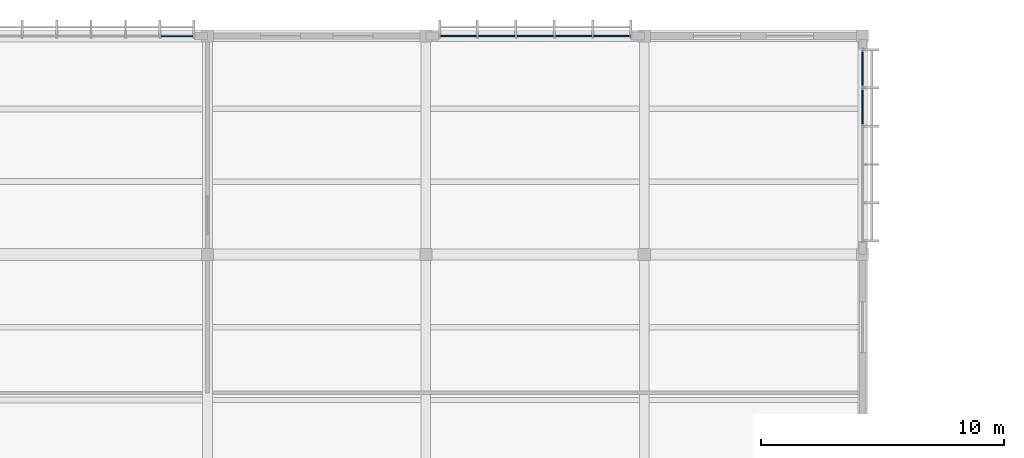
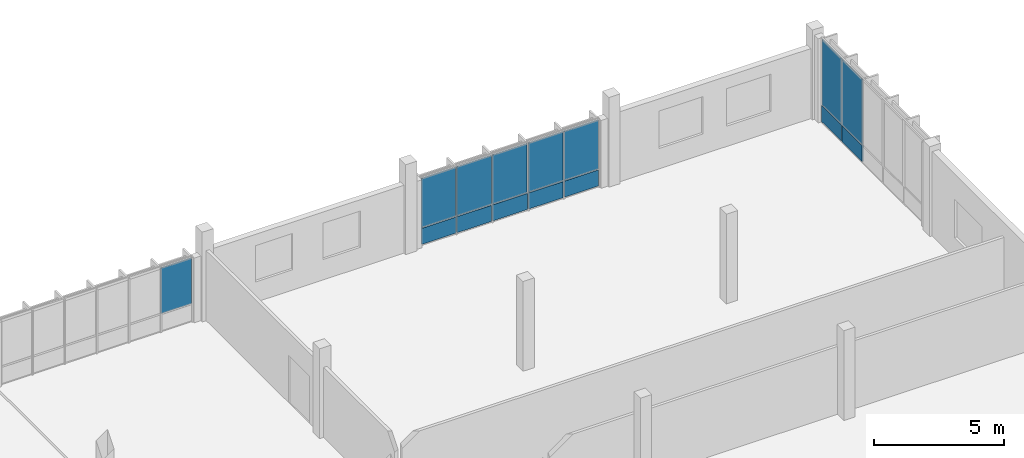
# One storey, part 157 of 182: 15 plates, 3 elements without a shape of their own.
"""IFC4 building model written with IfcOpenShell, lengths in metres."""

from ifc_helpers import new_model, si_unit, direction, frame, origin, origin_2d, place, context, subcontext, project, spatial, rectangle, extrude, material, layer, layer_set, type_object, element, aggregate, save


model = new_model("IFC4")

# Units and contexts
model_context = context("Model", 3, precision=1e-05, world=origin(), true_north=direction((0.0, 1.0)))
body_context = subcontext(model_context, "Body", "Model", "MODEL_VIEW")
ifc_project = project(units=[si_unit("LENGTHUNIT", "METRE"), si_unit("AREAUNIT", "SQUARE_METRE"), si_unit("VOLUMEUNIT", "CUBIC_METRE"), si_unit("PLANEANGLEUNIT", "RADIAN"), si_unit("MASSUNIT", "GRAM", prefix="KILO")], contexts=[model_context])

# Site, building, storey
site_placement = place(None, origin())
site = spatial("IfcSite", under=ifc_project, at=site_placement, CompositionType="ELEMENT")
building_placement = place(site_placement, origin())
building = spatial("IfcBuilding", under=site, at=building_placement, Name="Chiffa Square Polytechnic", CompositionType="ELEMENT")
storey_placement = place(building_placement, frame((0.0, 0.0, 9.60009765625)))
storey = spatial("IfcBuildingStorey", under=building, at=storey_placement, Name="L02", CompositionType="ELEMENT", Elevation=9.60009765625)

# Curtain wall, plate
ifc_material_1 = material(Name="Aluminium EN AW-6060 T66 and glulam shading", Category="wood")
curtain_wall_type_1 = type_object("IfcCurtainWallType", Name="CW-VERT-450X380", PredefinedType="USERDEFINED", material=ifc_material_1)
curtain_wall_1_placement = place(storey_placement, origin())
curtain_wall_1 = element("IfcCurtainWall", 1, at=curtain_wall_1_placement, inside=storey, type_object=curtain_wall_type_1, Name="Curtain wall CW-V5-L02-218", ObjectType="CURTAIN WALL", PredefinedType="USERDEFINED")
ifc_material_2 = material(Name="Double glazing", Category="glass")
ifc_layer_1 = layer(ifc_material_2, 0.0458984375, Name="Double glazing")
ifc_layer_set_1 = layer_set([ifc_layer_1], Name="Double glazing")
plate_type_1 = type_object("IfcPlateType", Name="CWP-GLZ-130X110", PredefinedType="CURTAIN_PANEL", material=ifc_layer_set_1)
plate_1_placement = place(storey_placement, frame((119.93896484375, 130.800048828125, 0.84033203125), z_axis=(0.0, 0.0, 1.0), x_axis=(-1.0, 0.0, 0.0)))
plate_1 = element("IfcPlate", 2, at=plate_1_placement, type_object=plate_type_1, Name="Glazed curtain panel CW-V5-L02-218-PN01", PredefinedType="CURTAIN_PANEL", context=body_context, shape_type="SweptSolid", body=[
    extrude(rectangle(XDim=1.345947265625, YDim=0.0458984375, at=origin_2d()), origin(), (0.0, 0.0, 1.0), 2.135009765625),
])
aggregate(curtain_wall_1, [plate_1])

# Curtain wall, plates
curtain_wall_type_2 = type_object("IfcCurtainWallType", Name="CW-VERT-600X440", PredefinedType="USERDEFINED", material=ifc_material_1)
curtain_wall_2_placement = place(storey_placement, origin())
curtain_wall_2 = element("IfcCurtainWall", 3, at=curtain_wall_2_placement, inside=storey, type_object=curtain_wall_type_2, Name="Curtain wall CW-V5-L02-217", ObjectType="CURTAIN WALL", PredefinedType="USERDEFINED")
ifc_layer_2 = layer(ifc_material_2, 0.0439453125, Name="Double glazing")
ifc_layer_set_2 = layer_set([ifc_layer_2], Name="Double glazing")
plate_type_2 = type_object("IfcPlateType", Name="CWP-GLZ-132X114", PredefinedType="CURTAIN_PANEL", material=ifc_layer_set_2)
plate_2_placement = place(storey_placement, frame((137.85693359375, 130.800048828125, 0.83935546875), z_axis=(0.0, 0.0, 1.0), x_axis=(-1.0, 0.0, 0.0)))
plate_2 = element("IfcPlate", 4, at=plate_2_placement, type_object=plate_type_2, Name="Glazed curtain panel CW-V5-L02-217-PN01", PredefinedType="CURTAIN_PANEL", context=body_context, shape_type="SweptSolid", body=[
    extrude(rectangle(XDim=1.510009765625, YDim=0.0439453125, at=origin_2d()), origin(), (0.0, 0.0, 1.0), 2.284912109375),
])
plate_3_placement = place(storey_placement, frame((136.283935546875, 130.800048828125, 0.83935546875), z_axis=(0.0, 0.0, 1.0), x_axis=(-1.0, 0.0, 0.0)))
plate_3 = element("IfcPlate", 5, at=plate_3_placement, type_object=plate_type_2, Name="Glazed curtain panel CW-V5-L02-217-PN02", PredefinedType="CURTAIN_PANEL", context=body_context, shape_type="SweptSolid", body=[
    extrude(rectangle(XDim=1.531982421875, YDim=0.0439453125, at=origin_2d()), origin(), (0.0, 0.0, 1.0), 2.284912109375),
])
plate_4_placement = place(storey_placement, frame((134.699951171875, 130.800048828125, 0.83935546875), z_axis=(0.0, 0.0, 1.0), x_axis=(-1.0, 0.0, 0.0)))
plate_4 = element("IfcPlate", 6, at=plate_4_placement, type_object=plate_type_2, Name="Glazed curtain panel CW-V5-L02-217-PN03", PredefinedType="CURTAIN_PANEL", context=body_context, shape_type="SweptSolid", body=[
    extrude(rectangle(XDim=1.531982421875, YDim=0.0439453125, at=origin_2d()), origin(), (0.0, 0.0, 1.0), 2.284912109375),
])
plate_5_placement = place(storey_placement, frame((133.115966796875, 130.800048828125, 0.83935546875), z_axis=(0.0, 0.0, 1.0), x_axis=(-1.0, 0.0, 0.0)))
plate_5 = element("IfcPlate", 7, at=plate_5_placement, type_object=plate_type_2, Name="Glazed curtain panel CW-V5-L02-217-PN04", PredefinedType="CURTAIN_PANEL", context=body_context, shape_type="SweptSolid", body=[
    extrude(rectangle(XDim=1.531982421875, YDim=0.0439453125, at=origin_2d()), origin(), (0.0, 0.0, 1.0), 2.284912109375),
])
plate_6_placement = place(storey_placement, frame((131.54296875, 130.800048828125, 0.83935546875), z_axis=(0.0, 0.0, 1.0), x_axis=(-1.0, 0.0, 0.0)))
plate_6 = element("IfcPlate", 8, at=plate_6_placement, type_object=plate_type_2, Name="Glazed curtain panel CW-V5-L02-217-PN05", PredefinedType="CURTAIN_PANEL", context=body_context, shape_type="SweptSolid", body=[
    extrude(rectangle(XDim=1.510009765625, YDim=0.0439453125, at=origin_2d()), origin(), (0.0, 0.0, 1.0), 2.284912109375),
])

curtain_wall_type_3 = type_object("IfcCurtainWallType", Name="CW-VERT-450X440", PredefinedType="USERDEFINED", material=ifc_material_1)
curtain_wall_3_placement = place(storey_placement, origin())
curtain_wall_3 = element("IfcCurtainWall", 9, at=curtain_wall_3_placement, inside=storey, type_object=curtain_wall_type_3, Name="Curtain wall CW-V5-L02-216", ObjectType="CURTAIN WALL", PredefinedType="USERDEFINED")
ifc_layer_3 = layer(ifc_material_2, 0.0439453125, Name="Double glazing")
ifc_layer_set_3 = layer_set([ifc_layer_3], Name="Double glazing")
plate_type_3 = type_object("IfcPlateType", Name="CWP-GLZ-134X118", PredefinedType="CURTAIN_PANEL", material=ifc_layer_set_3)
plate_7_placement = place(storey_placement, frame((148.199951171875, 127.884033203125, 0.83984375), z_axis=(0.0, 0.0, 1.0), x_axis=(0.0, 1.0, 0.0)))
plate_7 = element("IfcPlate", 10, at=plate_7_placement, type_object=plate_type_3, Name="Glazed curtain panel CW-V5-L02-216-PN04", PredefinedType="CURTAIN_PANEL", context=body_context, shape_type="SweptSolid", body=[
    extrude(rectangle(XDim=1.531982421875, YDim=0.0439453125, at=origin_2d()), origin(), (0.0, 0.0, 1.0), 3.050048828125),
])
plate_8_placement = place(storey_placement, frame((148.199951171875, 129.45703125, 0.83984375), z_axis=(0.0, 0.0, 1.0), x_axis=(0.0, 1.0, 0.0)))
plate_8 = element("IfcPlate", 11, at=plate_8_placement, type_object=plate_type_3, Name="Glazed curtain panel CW-V5-L02-216-PN05", PredefinedType="CURTAIN_PANEL", context=body_context, shape_type="SweptSolid", body=[
    extrude(rectangle(XDim=1.510009765625, YDim=0.0439453125, at=origin_2d()), origin(), (0.0, 0.0, 1.0), 3.050048828125),
])

# Plate
ifc_material_3 = material(Name="Aluminium insulated spandrel", Category="aluminium")
ifc_layer_4 = layer(ifc_material_3, 0.06396484375, Name="Aluminium insulated spandrel")
ifc_layer_set_4 = layer_set([ifc_layer_4], Name="Aluminium insulated spandrel")
plate_type_4 = type_object("IfcPlateType", Name="CWP-SPN-146X082", PredefinedType="SHEET", material=ifc_layer_set_4)
plate_9_placement = place(storey_placement, frame((137.85693359375, 130.800048828125, 0.0498046875), z_axis=(0.0, 0.0, 1.0), x_axis=(-1.0, 0.0, 0.0)))
plate_9 = element("IfcPlate", 12, at=plate_9_placement, type_object=plate_type_4, Name="Spandrel panel CW-V5-L02-217-SP01", PredefinedType="SHEET", context=body_context, shape_type="SweptSolid", body=[
    extrude(rectangle(XDim=1.510009765625, YDim=0.06396484375, at=origin_2d()), origin(), (0.0, 0.0, 1.0), 0.75),
])

plate_10_placement = place(storey_placement, frame((136.283935546875, 130.800048828125, 0.0498046875), z_axis=(0.0, 0.0, 1.0), x_axis=(-1.0, 0.0, 0.0)))
plate_10 = element("IfcPlate", 13, at=plate_10_placement, type_object=plate_type_4, Name="Spandrel panel CW-V5-L02-217-SP02", PredefinedType="SHEET", context=body_context, shape_type="SweptSolid", body=[
    extrude(rectangle(XDim=1.531982421875, YDim=0.06396484375, at=origin_2d()), origin(), (0.0, 0.0, 1.0), 0.75),
])

plate_11_placement = place(storey_placement, frame((134.699951171875, 130.800048828125, 0.0498046875), z_axis=(0.0, 0.0, 1.0), x_axis=(-1.0, 0.0, 0.0)))
plate_11 = element("IfcPlate", 14, at=plate_11_placement, type_object=plate_type_4, Name="Spandrel panel CW-V5-L02-217-SP03", PredefinedType="SHEET", context=body_context, shape_type="SweptSolid", body=[
    extrude(rectangle(XDim=1.531982421875, YDim=0.06396484375, at=origin_2d()), origin(), (0.0, 0.0, 1.0), 0.75),
])

plate_12_placement = place(storey_placement, frame((133.115966796875, 130.800048828125, 0.0498046875), z_axis=(0.0, 0.0, 1.0), x_axis=(-1.0, 0.0, 0.0)))
plate_12 = element("IfcPlate", 15, at=plate_12_placement, type_object=plate_type_4, Name="Spandrel panel CW-V5-L02-217-SP04", PredefinedType="SHEET", context=body_context, shape_type="SweptSolid", body=[
    extrude(rectangle(XDim=1.531982421875, YDim=0.06396484375, at=origin_2d()), origin(), (0.0, 0.0, 1.0), 0.75),
])

plate_13_placement = place(storey_placement, frame((131.54296875, 130.800048828125, 0.0498046875), z_axis=(0.0, 0.0, 1.0), x_axis=(-1.0, 0.0, 0.0)))
plate_13 = element("IfcPlate", 16, at=plate_13_placement, type_object=plate_type_4, Name="Spandrel panel CW-V5-L02-217-SP05", PredefinedType="SHEET", context=body_context, shape_type="SweptSolid", body=[
    extrude(rectangle(XDim=1.510009765625, YDim=0.06396484375, at=origin_2d()), origin(), (0.0, 0.0, 1.0), 0.75),
])

aggregate(curtain_wall_2, [plate_9, plate_2, plate_10, plate_3, plate_11, plate_4, plate_12, plate_5, plate_13, plate_6])

ifc_layer_5 = layer(ifc_material_3, 0.06201171875, Name="Aluminium insulated spandrel")
ifc_layer_set_5 = layer_set([ifc_layer_5], Name="Aluminium insulated spandrel")
plate_type_5 = type_object("IfcPlateType", Name="CWP-SPN-148X084", PredefinedType="SHEET", material=ifc_layer_set_5)
plate_14_placement = place(storey_placement, frame((148.199951171875, 127.884033203125, 0.0498046875), z_axis=(0.0, 0.0, 1.0), x_axis=(0.0, 1.0, 0.0)))
plate_14 = element("IfcPlate", 17, at=plate_14_placement, type_object=plate_type_5, Name="Spandrel panel CW-V5-L02-216-SP04", PredefinedType="SHEET", context=body_context, shape_type="SweptSolid", body=[
    extrude(rectangle(XDim=1.531982421875, YDim=0.06201171875, at=origin_2d()), origin(), (0.0, 0.0, 1.0), 0.75),
])

plate_15_placement = place(storey_placement, frame((148.199951171875, 129.45703125, 0.0498046875), z_axis=(0.0, 0.0, 1.0), x_axis=(0.0, 1.0, 0.0)))
plate_15 = element("IfcPlate", 18, at=plate_15_placement, type_object=plate_type_5, Name="Spandrel panel CW-V5-L02-216-SP05", PredefinedType="SHEET", context=body_context, shape_type="SweptSolid", body=[
    extrude(rectangle(XDim=1.510009765625, YDim=0.06201171875, at=origin_2d()), origin(), (0.0, 0.0, 1.0), 0.75),
])

aggregate(curtain_wall_3, [plate_14, plate_7, plate_15, plate_8])

save(model, "model.ifc")
